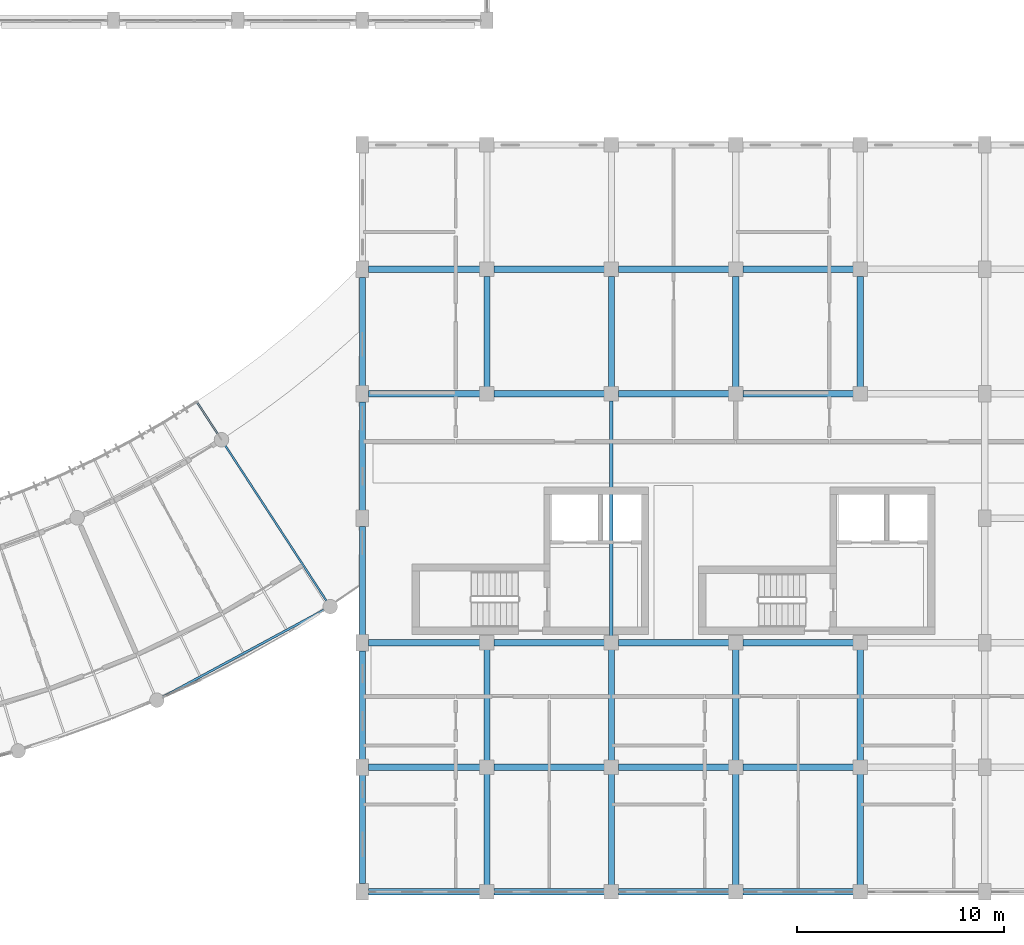
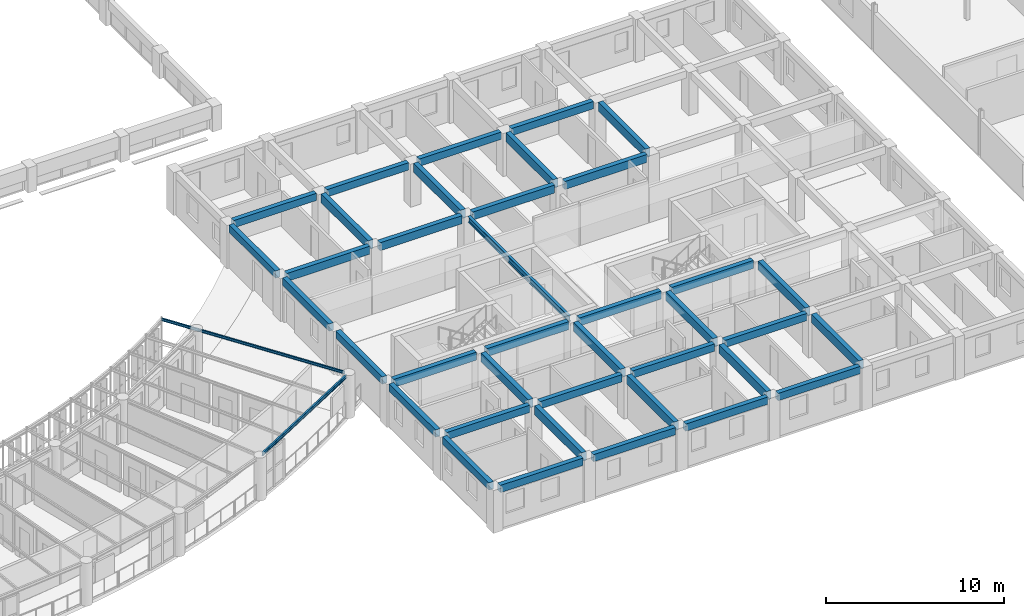
# One storey, part 33 of 137: 40 beams.
"""IFC4 building model written with IfcOpenShell, lengths in metres."""

from ifc_helpers import new_model, si_unit, direction, frame, origin, origin_2d, place, context, subcontext, project, spatial, rectangle, i_section, extrude, material, material_profile, profile_set, type_object, element, save


model = new_model("IFC4")

# Units and contexts
model_context = context("Model", 3, precision=1e-05, world=origin(), true_north=direction((0.0, 1.0)))
body_context = subcontext(model_context, "Body", "Model", "MODEL_VIEW")
ifc_project = project(units=[si_unit("LENGTHUNIT", "METRE"), si_unit("AREAUNIT", "SQUARE_METRE"), si_unit("VOLUMEUNIT", "CUBIC_METRE"), si_unit("PLANEANGLEUNIT", "RADIAN"), si_unit("MASSUNIT", "GRAM", prefix="KILO"), si_unit("POWERUNIT", "WATT"), si_unit("THERMODYNAMICTEMPERATUREUNIT", "KELVIN")], contexts=[model_context])

# Site, building, storey
site_placement = place(None, origin())
site = spatial("IfcSite", under=ifc_project, at=site_placement, CompositionType="ELEMENT")
building_placement = place(site_placement, origin())
building = spatial("IfcBuilding", under=site, at=building_placement, Name="Ruvembo Vaulted Housing Court", CompositionType="ELEMENT")
storey_placement = place(building_placement, frame((0.0, 0.0, 4.5)))
storey = spatial("IfcBuildingStorey", under=building, at=storey_placement, Name="L01", CompositionType="ELEMENT", Elevation=4.5)

# Beams
ifc_material_1 = material(Name="Concrete C35/45", Category="concrete")
ifc_material_profile_1 = material_profile(ifc_material_1, rectangle(XDim=0.300048828125, YDim=0.550048828125, at=origin_2d()), Name="RC 300x550")
ifc_profile_set_1 = profile_set([ifc_material_profile_1], Name="Concrete C35/45")
beam_type_1 = type_object("IfcBeamType", Name="BM-RC-300x550", PredefinedType="BEAM", material=ifc_profile_set_1)
beam_1_placement = place(storey_placement, frame((102.284912109375, 12.0, 2.669921875), z_axis=(1.0, 0.0, 0.0), x_axis=(0.0, 1.0, 0.0)))
element("IfcBeam", 1, at=beam_1_placement, inside=storey, type_object=beam_type_1, Name="L01 Grid Beam X #1160", PredefinedType="BEAM", context=body_context, shape_type="SweptSolid", body=[
    extrude(rectangle(XDim=0.300048828125, YDim=0.550048828125, at=origin_2d()), origin(), (0.0, 0.0, 1.0), 5.380126953125),
])
for number, where, z_axis, x_axis, name in (
    (2, (108.3349609375, 12.0, 2.669921875), (1.0, 0.0, 0.0), (0.0, 1.0, 0.0), "L01 Grid Beam X #1161"),
    (3, (114.3349609375, 12.0, 2.669921875), (1.0, 0.0, 0.0), (0.0, 1.0, 0.0), "L01 Grid Beam X #1162"),
    (4, (120.3349609375, 12.0, 2.669921875), (1.0, 0.0, 0.0), (0.0, 1.0, 0.0), "L01 Grid Beam X #1163"),
):
    element("IfcBeam", number, at=place(storey_placement, frame(where, z_axis=z_axis, x_axis=x_axis)), inside=storey, type_object=beam_type_1, Name=name, PredefinedType="BEAM", context=body_context, shape_type="SweptSolid", body=[
        extrude(rectangle(XDim=0.300048828125, YDim=0.550048828125, at=origin_2d()), origin(), (0.0, 0.0, 1.0), 5.330078125),
    ])
beam_2_placement = place(storey_placement, frame((102.284912109375, 24.0, 2.669921875), z_axis=(1.0, 0.0, 0.0), x_axis=(0.0, 1.0, 0.0)))
element("IfcBeam", 5, at=beam_2_placement, inside=storey, type_object=beam_type_1, Name="L01 Grid Beam X #1174", PredefinedType="BEAM", context=body_context, shape_type="SweptSolid", body=[
    extrude(rectangle(XDim=0.300048828125, YDim=0.550048828125, at=origin_2d()), origin(), (0.0, 0.0, 1.0), 5.380126953125),
])
for number, where, z_axis, x_axis, name in (
    (6, (108.3349609375, 24.0, 2.669921875), (1.0, 0.0, 0.0), (0.0, 1.0, 0.0), "L01 Grid Beam X #1175"),
    (7, (114.3349609375, 24.0, 2.669921875), (1.0, 0.0, 0.0), (0.0, 1.0, 0.0), "L01 Grid Beam X #1176"),
    (8, (120.3349609375, 24.0, 2.669921875), (1.0, 0.0, 0.0), (0.0, 1.0, 0.0), "L01 Grid Beam X #1177"),
):
    element("IfcBeam", number, at=place(storey_placement, frame(where, z_axis=z_axis, x_axis=x_axis)), inside=storey, type_object=beam_type_1, Name=name, PredefinedType="BEAM", context=body_context, shape_type="SweptSolid", body=[
        extrude(rectangle(XDim=0.300048828125, YDim=0.550048828125, at=origin_2d()), origin(), (0.0, 0.0, 1.0), 5.330078125),
    ])
ifc_material_profile_2 = material_profile(ifc_material_1, rectangle(XDim=0.300048828125, YDim=0.60009765625, at=origin_2d()), Name="RC 300x600")
ifc_profile_set_2 = profile_set([ifc_material_profile_2], Name="Concrete C35/45")
beam_type_2 = type_object("IfcBeamType", Name="BM-RC-300x600", PredefinedType="BEAM", material=ifc_profile_set_2)
for number, where, z_axis, x_axis, name in (
    (9, (108.0, 0.3349609375, 2.64501953125), (0.0, 1.0, 0.0), (-1.0, 0.0, 0.0), "L01 Grid Beam Y #1388"),
    (10, (108.0, 6.3349609375, 2.64501953125), (0.0, 1.0, 0.0), (-1.0, 0.0, 0.0), "L01 Grid Beam Y #1389"),
    (11, (108.0, 24.3349609375, 2.64501953125), (0.0, 1.0, 0.0), (-1.0, 0.0, 0.0), "L01 Grid Beam Y #1390"),
    (12, (114.0, 0.3349609375, 2.64501953125), (0.0, 1.0, 0.0), (-1.0, 0.0, 0.0), "L01 Grid Beam Y #1396"),
    (13, (114.0, 6.3349609375, 2.64501953125), (0.0, 1.0, 0.0), (-1.0, 0.0, 0.0), "L01 Grid Beam Y #1397"),
    (14, (114.0, 24.3349609375, 2.64501953125), (0.0, 1.0, 0.0), (-1.0, 0.0, 0.0), "L01 Grid Beam Y #1399"),
    (15, (120.0, 0.3349609375, 2.64501953125), (0.0, 1.0, 0.0), (-1.0, 0.0, 0.0), "L01 Grid Beam Y #1401"),
    (16, (120.0, 6.3349609375, 2.64501953125), (0.0, 1.0, 0.0), (-1.0, 0.0, 0.0), "L01 Grid Beam Y #1402"),
    (17, (120.0, 24.3349609375, 2.64501953125), (0.0, 1.0, 0.0), (-1.0, 0.0, 0.0), "L01 Grid Beam Y #1403"),
    (18, (126.0, 0.3349609375, 2.64501953125), (0.0, 1.0, 0.0), (-1.0, 0.0, 0.0), "L01 Grid Beam Y #1405"),
    (19, (126.0, 6.3349609375, 2.64501953125), (0.0, 1.0, 0.0), (-1.0, 0.0, 0.0), "L01 Grid Beam Y #1406"),
    (20, (126.0, 24.3349609375, 2.64501953125), (0.0, 1.0, 0.0), (-1.0, 0.0, 0.0), "L01 Grid Beam Y #1407"),
):
    element("IfcBeam", number, at=place(storey_placement, frame(where, z_axis=z_axis, x_axis=x_axis)), inside=storey, type_object=beam_type_2, Name=name, PredefinedType="BEAM", context=body_context, shape_type="SweptSolid", body=[
        extrude(rectangle(XDim=0.300048828125, YDim=0.60009765625, at=origin_2d()), origin(), (0.0, 0.0, 1.0), 5.330078125),
    ])
ifc_material_2 = material(Name="Steel S355J2", Category="steel")
ifc_material_profile_3 = material_profile(ifc_material_2, i_section(OverallWidth=0.091064453125, OverallDepth=0.179931640625, WebThickness=0.00537109375, FlangeThickness=0.008056640625, FilletRadius=0.009033203125, at=origin_2d()), Name="IPE 180")
ifc_profile_set_3 = profile_set([ifc_material_profile_3], Name="Steel S355J2")
beam_type_3 = type_object("IfcBeamType", Name="BM-ST-IPE180", PredefinedType="JOIST", material=ifc_profile_set_3)
beam_3_placement = place(storey_placement, frame((100.322265625, 13.93505859375, 2.85009765625), z_axis=(-0.545959206746, 0.837811759627, 0.0), x_axis=(-0.837811759627, -0.545959206746, 0.0)))
element("IfcBeam", 21, at=beam_3_placement, inside=storey, type_object=beam_type_3, Name="Scoop SC2 L01 Radial Steel Joist 28", PredefinedType="JOIST", context=body_context, shape_type="SweptSolid", body=[
    extrude(i_section(OverallWidth=0.091064453125, OverallDepth=0.179931640625, WebThickness=0.00537109375, FlangeThickness=0.008056640625, FilletRadius=0.009033203125, at=origin_2d()), origin(), (0.0, 0.0, 1.0), 11.610107421875),
])
ifc_material_profile_4 = material_profile(ifc_material_2, i_section(OverallWidth=0.110107421875, OverallDepth=0.219970703125, WebThickness=0.005859375, FlangeThickness=0.00927734375, FilletRadius=0.011962890625, at=origin_2d()), Name="IPE 220")
ifc_profile_set_4 = profile_set([ifc_material_profile_4], Name="Steel S355J2")
beam_type_4 = type_object("IfcBeamType", Name="BM-ST-IPE220", PredefinedType="SPANDREL", material=ifc_profile_set_4)
beam_4_placement = place(storey_placement, frame((92.2958984375, 9.341552734375, 2.83203125), z_axis=(0.879961207555, 0.475045548552, 0.0), x_axis=(-0.475045548552, 0.879961207555, 0.0)))
element("IfcBeam", 22, at=beam_4_placement, inside=storey, type_object=beam_type_4, Name="Scoop SC2 L01 Chord Girder B24", PredefinedType="SPANDREL", context=body_context, shape_type="SweptSolid", body=[
    extrude(i_section(OverallWidth=0.110107421875, OverallDepth=0.219970703125, WebThickness=0.005859375, FlangeThickness=0.00927734375, FilletRadius=0.011962890625, at=origin_2d()), origin(), (0.0, 0.0, 1.0), 9.033935546875),
])
ifc_material_profile_5 = material_profile(ifc_material_2, i_section(OverallWidth=0.179931640625, OverallDepth=0.39990234375, WebThickness=0.008544921875, FlangeThickness=0.013427734375, FilletRadius=0.02099609375, at=origin_2d()), Name="IPE 400")
ifc_profile_set_5 = profile_set([ifc_material_profile_5], Name="Steel S355J2")
beam_type_5 = type_object("IfcBeamType", Name="BM-ST-IPE400", PredefinedType="BEAM", material=ifc_profile_set_5)
beam_5_placement = place(storey_placement, frame((114.0, 12.3349609375, 2.72607421875), z_axis=(0.0, 1.0, 0.0), x_axis=(-1.0, 0.0, 0.0)))
element("IfcBeam", 23, at=beam_5_placement, inside=storey, type_object=beam_type_5, Name="L01 Grid Beam Y #1398", PredefinedType="BEAM", context=body_context, shape_type="SweptSolid", body=[
    extrude(i_section(OverallWidth=0.179931640625, OverallDepth=0.39990234375, WebThickness=0.008544921875, FlangeThickness=0.013427734375, FilletRadius=0.02099609375, at=origin_2d()), origin(), (0.0, 0.0, 1.0), 11.330078125),
])
ifc_material_profile_6 = material_profile(ifc_material_1, rectangle(XDim=0.300048828125, YDim=0.5, at=origin_2d()), Name="RC 300x500")
ifc_profile_set_6 = profile_set([ifc_material_profile_6], Name="Concrete C35/45")
beam_type_6 = type_object("IfcBeamType", Name="SP-RC-300x500", PredefinedType="SPANDREL", material=ifc_profile_set_6)
beam_6_placement = place(storey_placement, frame((102.284912109375, 0.0, 2.695068359375), z_axis=(1.0, 0.0, 0.0), x_axis=(0.0, 1.0, 0.0)))
element("IfcBeam", 24, at=beam_6_placement, inside=storey, type_object=beam_type_6, Name="L01 Grid Beam X #1132", PredefinedType="SPANDREL", context=body_context, shape_type="SweptSolid", body=[
    extrude(rectangle(XDim=0.300048828125, YDim=0.5, at=origin_2d()), origin(), (0.0, 0.0, 1.0), 5.380126953125),
])
for number, where, z_axis, x_axis, name in (
    (25, (108.3349609375, 0.0, 2.695068359375), (1.0, 0.0, 0.0), (0.0, 1.0, 0.0), "L01 Grid Beam X #1133"),
    (26, (114.3349609375, 0.0, 2.695068359375), (1.0, 0.0, 0.0), (0.0, 1.0, 0.0), "L01 Grid Beam X #1134"),
    (27, (120.3349609375, 0.0, 2.695068359375), (1.0, 0.0, 0.0), (0.0, 1.0, 0.0), "L01 Grid Beam X #1135"),
):
    element("IfcBeam", number, at=place(storey_placement, frame(where, z_axis=z_axis, x_axis=x_axis)), inside=storey, type_object=beam_type_6, Name=name, PredefinedType="SPANDREL", context=body_context, shape_type="SweptSolid", body=[
        extrude(rectangle(XDim=0.300048828125, YDim=0.5, at=origin_2d()), origin(), (0.0, 0.0, 1.0), 5.330078125),
    ])
beam_7_placement = place(storey_placement, frame((102.284912109375, 6.0, 2.695068359375), z_axis=(1.0, 0.0, 0.0), x_axis=(0.0, 1.0, 0.0)))
element("IfcBeam", 28, at=beam_7_placement, inside=storey, type_object=beam_type_6, Name="L01 Grid Beam X #1144", PredefinedType="SPANDREL", context=body_context, shape_type="SweptSolid", body=[
    extrude(rectangle(XDim=0.300048828125, YDim=0.5, at=origin_2d()), origin(), (0.0, 0.0, 1.0), 5.380126953125),
])
for number, where, z_axis, x_axis, name in (
    (29, (108.3349609375, 6.0, 2.695068359375), (1.0, 0.0, 0.0), (0.0, 1.0, 0.0), "L01 Grid Beam X #1145"),
    (30, (114.3349609375, 6.0, 2.695068359375), (1.0, 0.0, 0.0), (0.0, 1.0, 0.0), "L01 Grid Beam X #1146"),
    (31, (120.3349609375, 6.0, 2.695068359375), (1.0, 0.0, 0.0), (0.0, 1.0, 0.0), "L01 Grid Beam X #1147"),
):
    element("IfcBeam", number, at=place(storey_placement, frame(where, z_axis=z_axis, x_axis=x_axis)), inside=storey, type_object=beam_type_6, Name=name, PredefinedType="SPANDREL", context=body_context, shape_type="SweptSolid", body=[
        extrude(rectangle(XDim=0.300048828125, YDim=0.5, at=origin_2d()), origin(), (0.0, 0.0, 1.0), 5.330078125),
    ])
beam_8_placement = place(storey_placement, frame((102.284912109375, 30.0, 2.695068359375), z_axis=(1.0, 0.0, 0.0), x_axis=(0.0, 1.0, 0.0)))
element("IfcBeam", 32, at=beam_8_placement, inside=storey, type_object=beam_type_6, Name="L01 Grid Beam X #1186", PredefinedType="SPANDREL", context=body_context, shape_type="SweptSolid", body=[
    extrude(rectangle(XDim=0.300048828125, YDim=0.5, at=origin_2d()), origin(), (0.0, 0.0, 1.0), 5.380126953125),
])
for number, where, z_axis, x_axis, name in (
    (33, (108.3349609375, 30.0, 2.695068359375), (1.0, 0.0, 0.0), (0.0, 1.0, 0.0), "L01 Grid Beam X #1187"),
    (34, (114.3349609375, 30.0, 2.695068359375), (1.0, 0.0, 0.0), (0.0, 1.0, 0.0), "L01 Grid Beam X #1188"),
    (35, (120.3349609375, 30.0, 2.695068359375), (1.0, 0.0, 0.0), (0.0, 1.0, 0.0), "L01 Grid Beam X #1189"),
):
    element("IfcBeam", number, at=place(storey_placement, frame(where, z_axis=z_axis, x_axis=x_axis)), inside=storey, type_object=beam_type_6, Name=name, PredefinedType="SPANDREL", context=body_context, shape_type="SweptSolid", body=[
        extrude(rectangle(XDim=0.300048828125, YDim=0.5, at=origin_2d()), origin(), (0.0, 0.0, 1.0), 5.330078125),
    ])
for number, where, z_axis, x_axis, name in (
    (36, (102.0, 0.385009765625, 2.695068359375), (0.0, 1.0, 0.0), (-1.0, 0.0, 0.0), "L01 Grid Beam Y #1382"),
    (37, (102.0, 6.385009765625, 2.695068359375), (0.0, 1.0, 0.0), (-1.0, 0.0, 0.0), "L01 Grid Beam Y #1383"),
    (38, (102.0, 12.385009765625, 2.695068359375), (0.0, 1.0, 0.0), (-1.0, 0.0, 0.0), "L01 Grid Beam Y #1384"),
    (39, (102.0, 18.385009765625, 2.695068359375), (0.0, 1.0, 0.0), (-1.0, 0.0, 0.0), "L01 Grid Beam Y #1385"),
    (40, (102.0, 24.385009765625, 2.695068359375), (0.0, 1.0, 0.0), (-1.0, 0.0, 0.0), "L01 Grid Beam Y #1386"),
):
    element("IfcBeam", number, at=place(storey_placement, frame(where, z_axis=z_axis, x_axis=x_axis)), inside=storey, type_object=beam_type_6, Name=name, PredefinedType="SPANDREL", context=body_context, shape_type="SweptSolid", body=[
        extrude(rectangle(XDim=0.300048828125, YDim=0.5, at=origin_2d()), origin(), (0.0, 0.0, 1.0), 5.22998046875),
    ])

save(model, "model.ifc")
